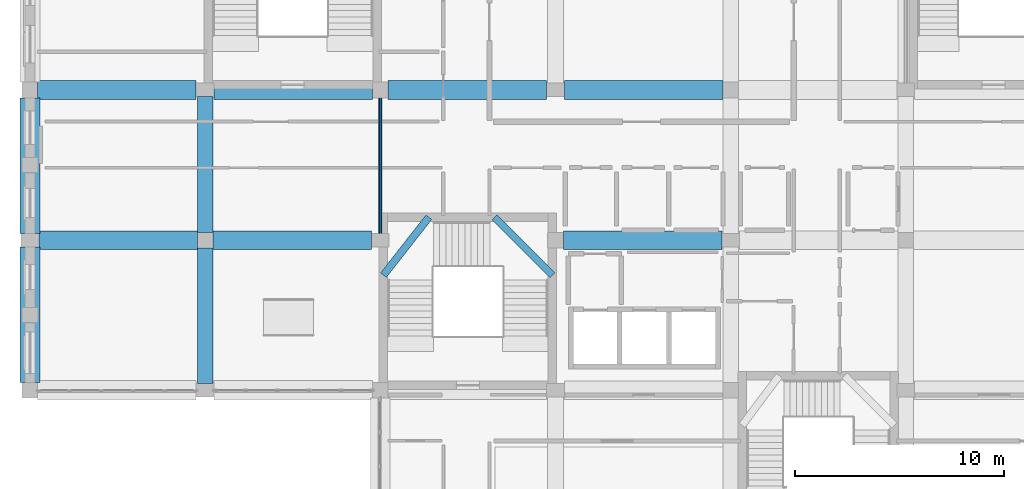
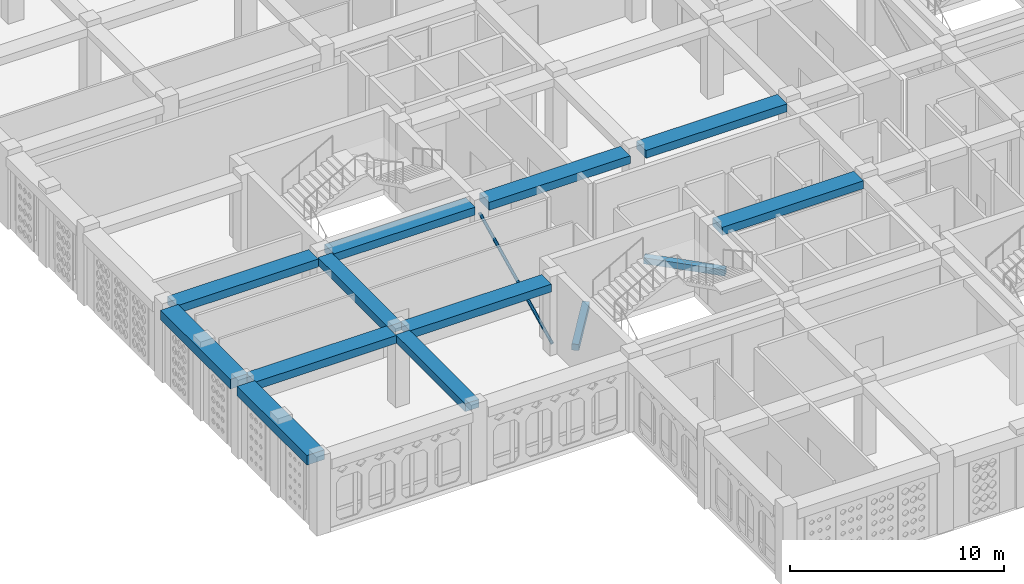
# One storey, part 6 of 121: 13 beams, 1 member.
"""IFC4 building model written with IfcOpenShell, lengths in metres."""

from ifc_helpers import new_model, si_unit, derived_unit, direction, frame, origin, origin_2d, place, context, subcontext, project, spatial, rectangle, hollow_circle, extrude, material, material_profile, profile_set, type_object, element, save


model = new_model("IFC4")

# Units and contexts
model_context = context("Model", 3, precision=1e-05, world=origin(), true_north=direction((0.0, 1.0)))
body_context = subcontext(model_context, "Body", "Model", "MODEL_VIEW")
ifc_project = project(units=[si_unit("LENGTHUNIT", "METRE"), si_unit("AREAUNIT", "SQUARE_METRE"), si_unit("VOLUMEUNIT", "CUBIC_METRE"), si_unit("PLANEANGLEUNIT", "RADIAN"), si_unit("MASSUNIT", "GRAM", prefix="KILO"), derived_unit("THERMALTRANSMITTANCEUNIT", [(si_unit("POWERUNIT", "WATT"), 1), (si_unit("LENGTHUNIT", "METRE"), -2), (si_unit("THERMODYNAMICTEMPERATUREUNIT", "KELVIN"), -1)])], contexts=[model_context])

# Site, building, storey
site_placement = place(None, origin())
site = spatial("IfcSite", under=ifc_project, at=site_placement, CompositionType="ELEMENT")
building_placement = place(site_placement, origin())
building = spatial("IfcBuilding", under=site, at=building_placement, Name="Veybourne Emporium", CompositionType="ELEMENT")
storey_placement = place(building_placement, frame((0.0, 0.0, 5.39990234375)))
storey = spatial("IfcBuildingStorey", under=building, at=storey_placement, Name="L01", CompositionType="ELEMENT", Elevation=5.39990234375)

# Beams
ifc_material_1 = material(Name="Concrete C32/40", Category="concrete")
ifc_material_profile_1 = material_profile(ifc_material_1, rectangle(XDim=0.35009765625, YDim=0.35009765625, at=origin_2d()), Name="RC 350x350")
ifc_profile_set_1 = profile_set([ifc_material_profile_1], Name="Concrete C32/40")
beam_type_1 = type_object("IfcBeamType", Name="LandingBeam_LB-01", PredefinedType="BEAM", material=ifc_profile_set_1)
beam_1_placement = place(storey_placement, frame((16.949951171875, 19.919921875, 1.125), z_axis=(0.617055197144, 0.786919871193, 0.0), x_axis=(-0.786919871193, 0.617055197144, 0.0)))
element("IfcBeam", 1, at=beam_1_placement, inside=storey, type_object=beam_type_1, Name="L01 ST-01 landing 1 support beam", PredefinedType="BEAM", context=body_context, shape_type="SweptSolid", body=[
    extrude(rectangle(XDim=0.35009765625, YDim=0.35009765625, at=origin_2d()), origin(), (0.0, 0.0, 1.0), 3.53271484375),
])
beam_2_placement = place(storey_placement, frame((22.27001953125, 22.699951171875, 2.625), z_axis=(0.707106781187, -0.707106781187, 0.0), x_axis=(0.707106781187, 0.707106781187, 0.0)))
element("IfcBeam", 2, at=beam_2_placement, inside=storey, type_object=beam_type_1, Name="L01 ST-01 landing 2 support beam", PredefinedType="BEAM", context=body_context, shape_type="SweptSolid", body=[
    extrude(rectangle(XDim=0.35009765625, YDim=0.35009765625, at=origin_2d()), origin(), (0.0, 0.0, 1.0), 3.931640625),
])
ifc_material_profile_2 = material_profile(ifc_material_1, rectangle(XDim=0.89990234375, YDim=0.449951171875, at=origin_2d()), Name="RC 900x450")
ifc_profile_set_2 = profile_set([ifc_material_profile_2], Name="Concrete C32/40")
beam_type_2 = type_object("IfcBeamType", Name="RCBeam_BB-03", PredefinedType="BEAM", material=ifc_profile_set_2)
beam_3_placement = place(storey_placement, frame((0.425048828125, 21.60009765625, 3.955078125), z_axis=(1.0, 0.0, 0.0), x_axis=(0.0, 1.0, 0.0)))
element("IfcBeam", 3, at=beam_3_placement, inside=storey, type_object=beam_type_2, Name="L01 X-grid beam BB-03 (0,3)", PredefinedType="BEAM", context=body_context, shape_type="SweptSolid", body=[
    extrude(rectangle(XDim=0.89990234375, YDim=0.449951171875, at=origin_2d()), origin(), (0.0, 0.0, 1.0), 7.599853515625),
])
for number, where, z_axis, x_axis, name in (
    (4, (0.375, 28.800048828125, 3.955078125), (1.0, 0.0, 0.0), (0.0, 1.0, 0.0), "L01 X-grid beam BB-03 (0,4)"),
    (5, (8.77490234375, 21.60009765625, 3.955078125), (1.0, 0.0, 0.0), (0.0, 1.0, 0.0), "L01 X-grid beam BB-03 (1,3)"),
    (6, (8.824951171875, 28.800048828125, 3.955078125), (1.0, 0.0, 0.0), (0.0, 1.0, 0.0), "L01 X-grid beam BB-03 (1,4)"),
):
    element("IfcBeam", number, at=place(storey_placement, frame(where, z_axis=z_axis, x_axis=x_axis)), inside=storey, type_object=beam_type_2, Name=name, PredefinedType="BEAM", context=body_context, shape_type="SweptSolid", body=[
        extrude(rectangle(XDim=0.89990234375, YDim=0.449951171875, at=origin_2d()), origin(), (0.0, 0.0, 1.0), 7.60009765625),
    ])
beam_4_placement = place(storey_placement, frame((17.175048828125, 28.800048828125, 3.955078125), z_axis=(1.0, 0.0, 0.0), x_axis=(0.0, 1.0, 0.0)))
element("IfcBeam", 7, at=beam_4_placement, inside=storey, type_object=beam_type_2, Name="L01 X-grid beam BB-03 (2,4)", PredefinedType="BEAM", context=body_context, shape_type="SweptSolid", body=[
    extrude(rectangle(XDim=0.89990234375, YDim=0.449951171875, at=origin_2d()), origin(), (0.0, 0.0, 1.0), 7.599853515625),
])
for number, where, z_axis, x_axis, name in (
    (8, (25.574951171875, 21.60009765625, 3.955078125), (1.0, 0.0, 0.0), (0.0, 1.0, 0.0), "L01 X-grid beam BB-03 (3,3)"),
    (9, (25.625, 28.800048828125, 3.955078125), (1.0, 0.0, 0.0), (0.0, 1.0, 0.0), "L01 X-grid beam BB-03 (3,4)"),
):
    element("IfcBeam", number, at=place(storey_placement, frame(where, z_axis=z_axis, x_axis=x_axis)), inside=storey, type_object=beam_type_2, Name=name, PredefinedType="BEAM", context=body_context, shape_type="SweptSolid", body=[
        extrude(rectangle(XDim=0.89990234375, YDim=0.449951171875, at=origin_2d()), origin(), (0.0, 0.0, 1.0), 7.60009765625),
    ])
ifc_material_profile_3 = material_profile(ifc_material_1, rectangle(XDim=0.75, YDim=0.449951171875, at=origin_2d()), Name="RC 750x450")
ifc_profile_set_3 = profile_set([ifc_material_profile_3], Name="Concrete C32/40")
beam_type_3 = type_object("IfcBeamType", Name="RCBeam_BB-04", PredefinedType="BEAM", material=ifc_profile_set_3)
for number, where, z_axis, x_axis, name in (
    (10, (8.39990234375, 14.72509765625, 3.955078125), (0.0, 1.0, 0.0), (-1.0, 0.0, 0.0), "L01 Y-grid beam BB-04 (1,2)"),
    (11, (8.39990234375, 21.97509765625, 3.955078125), (0.0, 1.0, 0.0), (-1.0, 0.0, 0.0), "L01 Y-grid beam BB-04 (1,3)"),
):
    element("IfcBeam", number, at=place(storey_placement, frame(where, z_axis=z_axis, x_axis=x_axis)), inside=storey, type_object=beam_type_3, Name=name, PredefinedType="BEAM", context=body_context, shape_type="SweptSolid", body=[
        extrude(rectangle(XDim=0.75, YDim=0.449951171875, at=origin_2d()), origin(), (0.0, 0.0, 1.0), 6.5),
    ])
ifc_material_profile_4 = material_profile(ifc_material_1, rectangle(XDim=0.949951171875, YDim=0.550048828125, at=origin_2d()), Name="RC 950x550")
ifc_profile_set_4 = profile_set([ifc_material_profile_4], Name="Concrete C32/40")
beam_type_4 = type_object("IfcBeamType", Name="RCBeam_EB-01", PredefinedType="SPANDREL", material=ifc_profile_set_4)
for number, where, z_axis, x_axis, name in (
    (12, (0.0, 14.77490234375, 3.905029296875), (0.0, 1.0, 0.0), (-1.0, 0.0, 0.0), "L01 Y-grid beam EB-01 (0,2)"),
    (13, (0.0, 21.925048828125, 3.905029296875), (0.0, 1.0, 0.0), (-1.0, 0.0, 0.0), "L01 Y-grid beam EB-01 (0,3)"),
):
    element("IfcBeam", number, at=place(storey_placement, frame(where, z_axis=z_axis, x_axis=x_axis)), inside=storey, type_object=beam_type_4, Name=name, PredefinedType="SPANDREL", context=body_context, shape_type="SweptSolid", body=[
        extrude(rectangle(XDim=0.949951171875, YDim=0.550048828125, at=origin_2d()), origin(), (0.0, 0.0, 1.0), 6.5),
    ])

# Member
ifc_material_2 = material(Name="Steel S355", Category="steel")
ifc_material_profile_5 = material_profile(ifc_material_2, hollow_circle(Radius=0.084228515625, WallThickness=0.008056640625, at=origin_2d()), Name="CHS 168.3x8.0")
ifc_profile_set_5 = profile_set([ifc_material_profile_5], Name="Steel S355")
member_type = type_object("IfcMemberType", Name="SteelMem_DB-01", PredefinedType="BRACE", material=ifc_profile_set_5)
member_placement = place(storey_placement, frame((16.800048828125, 21.820068359375, 0.25), z_axis=(0.0, 0.897061623358, 0.441905469414), x_axis=(-1.0, 0.0, 0.0)))
element("IfcMember", 14, at=member_placement, inside=storey, type_object=member_type, Name="Internal lateral frame brace DB-01.05 (L01)", PredefinedType="BRACE", context=body_context, shape_type="SweptSolid", body=[
    extrude(hollow_circle(Radius=0.084228515625, WallThickness=0.008056640625, at=origin_2d()), origin(), (0.0, 0.0, 1.0), 7.53564453125),
])

save(model, "model.ifc")
